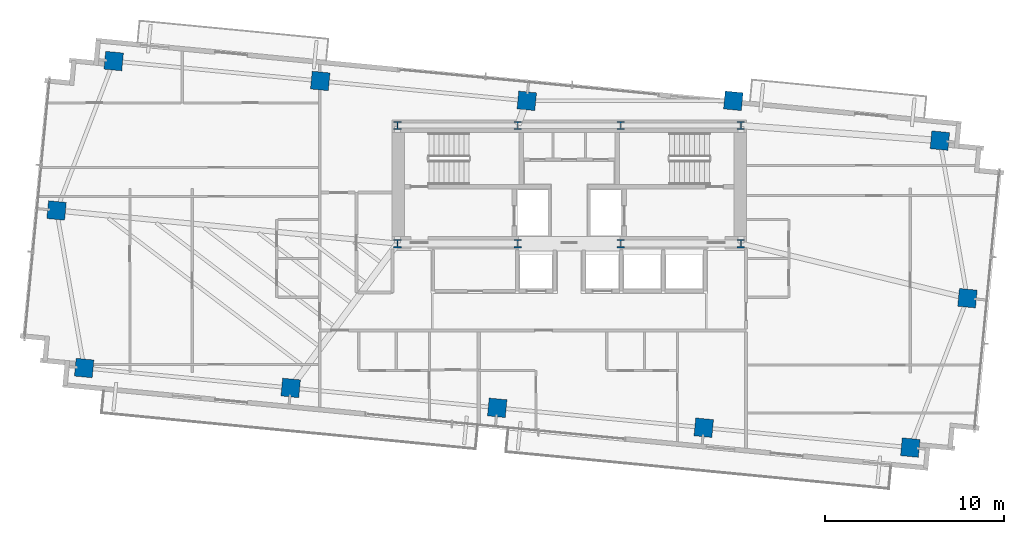
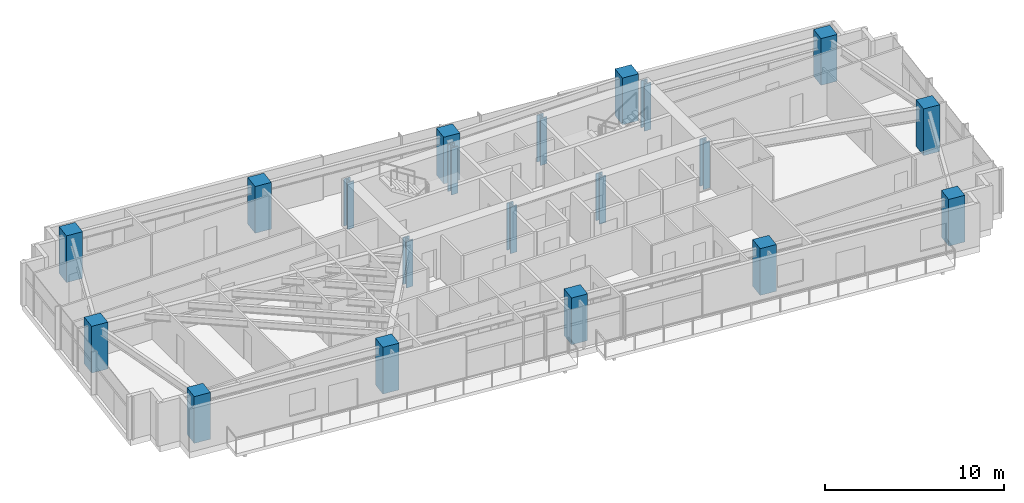
# One storey, part 1 of 19: 20 columns.
"""IFC4 building model written with IfcOpenShell, lengths in metres."""

from ifc_helpers import new_model, si_unit, direction, frame, origin, origin_2d, place, context, subcontext, project, spatial, rectangle, i_section, extrude, source, transform, mapped, material, material_profile, profile_set, type_object, type_shapes, element, save


model = new_model("IFC4")

# Units and contexts
model_context = context("Model", 3, precision=1e-05, world=origin(), true_north=direction((0.0, 1.0)))
body_context = subcontext(model_context, "Body", "Model", "MODEL_VIEW")
ifc_project = project(units=[si_unit("LENGTHUNIT", "METRE"), si_unit("AREAUNIT", "SQUARE_METRE"), si_unit("VOLUMEUNIT", "CUBIC_METRE"), si_unit("PLANEANGLEUNIT", "RADIAN"), si_unit("MASSUNIT", "GRAM", prefix="KILO")], contexts=[model_context])

# Site, building, storey
site_placement = place(None, origin())
site = spatial("IfcSite", under=ifc_project, at=site_placement, CompositionType="ELEMENT")
building_placement = place(site_placement, origin())
building = spatial("IfcBuilding", under=site, at=building_placement, Name="Astriad Promenade Condominiums", CompositionType="ELEMENT")
storey_placement = place(building_placement, frame((0.0, 0.0, 124.60009765625)))
storey = spatial("IfcBuildingStorey", under=building, at=storey_placement, Name="L35", CompositionType="ELEMENT", Elevation=124.60009765625)

# Columns
ifc_material_1 = material(Name="Steel ASTM A992 Grade 50", Category="steel")
ifc_material_profile_1 = material_profile(ifc_material_1, i_section(OverallWidth=0.42138671875, OverallDepth=0.464599609375, WebThickness=0.044921875, FlangeThickness=0.072509765625, FilletRadius=0.017822265625, at=origin_2d()), Name="W14X398")
ifc_profile_set_1 = profile_set([ifc_material_profile_1], Name="Steel ASTM A992 Grade 50")
column_type_1 = type_object("IfcColumnType", Name="STEEL CORE PILASTER W14X398", PredefinedType="PILASTER", material=ifc_profile_set_1)
shared_shape_1 = source(origin(), body_context, "Body", "SweptSolid", [
    extrude(i_section(OverallWidth=0.42138671875, OverallDepth=0.464599609375, WebThickness=0.044921875, FlangeThickness=0.072509765625, FilletRadius=0.017822265625, at=origin_2d()), origin(), (0.0, 0.0, 1.0), 3.196044921875),
])
type_shapes(column_type_1, [shared_shape_1])
for number, where, z_axis, x_axis, name in (
    (1, (26.39990234375, 17.39990234375, 0.001953125), (0.0, 0.0, 1.0), (1.0, 0.0, 0.0), "Core Pilaster Column CP1 (L35)"),
    (2, (33.1201171875, 17.39990234375, 0.001953125), (0.0, 0.0, 1.0), (1.0, 0.0, 0.0), "Core Pilaster Column CP2 (L35)"),
    (3, (38.8798828125, 17.39990234375, 0.001953125), (0.0, 0.0, 1.0), (1.0, 0.0, 0.0), "Core Pilaster Column CP3 (L35)"),
    (4, (45.60009765625, 17.39990234375, 0.001953125), (0.0, 0.0, 1.0), (1.0, 0.0, 0.0), "Core Pilaster Column CP4 (L35)"),
    (5, (26.39990234375, 24.0, 0.001953125), (0.0, 0.0, 1.0), (1.0, 0.0, 0.0), "Core Pilaster Column CP5 (L35)"),
    (6, (33.1201171875, 24.0, 0.001953125), (0.0, 0.0, 1.0), (1.0, 0.0, 0.0), "Core Pilaster Column CP6 (L35)"),
    (7, (38.8798828125, 24.0, 0.001953125), (0.0, 0.0, 1.0), (1.0, 0.0, 0.0), "Core Pilaster Column CP7 (L35)"),
    (8, (45.60009765625, 24.0, 0.001953125), (0.0, 0.0, 1.0), (1.0, 0.0, 0.0), "Core Pilaster Column CP8 (L35)"),
):
    element("IfcColumn", number, at=place(storey_placement, frame(where, z_axis=z_axis, x_axis=x_axis)), inside=storey, type_object=column_type_1, Name=name, PredefinedType="PILASTER", context=body_context, shape_type="MappedRepresentation", body=[
        mapped(shared_shape_1, transform((0.0, 0.0, 0.0), scale=1.0)),
    ])
ifc_material_2 = material(Name="Concrete C60/75", Category="concrete")
ifc_material_profile_2 = material_profile(ifc_material_2, rectangle(XDim=1.0, YDim=1.0, at=origin_2d()), Name="RC-COL-1000X1000")
ifc_profile_set_2 = profile_set([ifc_material_profile_2], Name="Concrete C60/75")
column_type_2 = type_object("IfcColumnType", Name="CONCRETE TOWER COLUMN 1000X1000", PredefinedType="COLUMN", material=ifc_profile_set_2)
shared_shape_2 = source(origin(), body_context, "Body", "SweptSolid", [
    extrude(rectangle(XDim=1.0, YDim=1.0, at=origin_2d()), origin(), (0.0, 0.0, 1.0), 3.194091796875),
])
type_shapes(column_type_2, [shared_shape_2])
for number, where, z_axis, x_axis, name in (
    (9, (8.880615234375, 10.443359375, 0.00390625), (0.0, 0.0, 1.0), (0.995396198367, -0.09584575252, 0.0), "Perimeter Column PC01 (L35)"),
    (10, (20.42724609375, 9.33154296875, 0.00390625), (0.0, 0.0, 1.0), (0.995396198367, -0.09584575252, 0.0), "Perimeter Column PC02 (L35)"),
    (11, (31.973876953125, 8.2197265625, 0.00390625), (0.0, 0.0, 1.0), (0.995396198367, -0.09584575252, 0.0), "Perimeter Column PC03 (L35)"),
    (12, (43.5205078125, 7.10791015625, 0.00390625), (0.0, 0.0, 1.0), (0.995396198367, -0.09584575252, 0.0), "Perimeter Column PC04 (L35)"),
    (13, (55.06689453125, 5.99609375, 0.00390625), (0.0, 0.0, 1.0), (0.995396198367, -0.09584575252, 0.0), "Perimeter Column PC05 (L35)"),
    (14, (10.532958984375, 27.60400390625, 0.00390625), (0.0, 0.0, 1.0), (0.995396198367, -0.09584575252, 0.0), "Perimeter Column PC06 (L35)"),
    (15, (22.07958984375, 26.4921875, 0.00390625), (0.0, 0.0, 1.0), (0.995396198367, -0.09584575252, 0.0), "Perimeter Column PC07 (L35)"),
    (16, (33.626220703125, 25.38037109375, 0.00390625), (0.0, 0.0, 1.0), (0.995396198367, -0.09584575252, 0.0), "Perimeter Column PC08 (L35)"),
    (17, (45.1728515625, 25.3798828125, 0.00390625), (0.0, 0.0, 1.0), (0.995396198367, -0.09584575252, 0.0), "Perimeter Column PC09 (L35)"),
    (18, (56.719482421875, 23.15673828125, 0.00390625), (0.0, 0.0, 1.0), (0.995396198367, -0.09584575252, 0.0), "Perimeter Column PC10 (L35)"),
    (19, (7.337890625, 19.251708984375, 0.00390625), (0.0, 0.0, 1.0), (0.995396198367, -0.09584575252, 0.0), "Perimeter Column PC11 (L35)"),
    (20, (58.26220703125, 14.348388671875, 0.00390625), (0.0, 0.0, 1.0), (0.995396198367, -0.09584575252, 0.0), "Perimeter Column PC12 (L35)"),
):
    element("IfcColumn", number, at=place(storey_placement, frame(where, z_axis=z_axis, x_axis=x_axis)), inside=storey, type_object=column_type_2, Name=name, PredefinedType="COLUMN", context=body_context, shape_type="MappedRepresentation", body=[
        mapped(shared_shape_2, transform((0.0, 0.0, 0.0), scale=1.0)),
    ])

save(model, "model.ifc")
